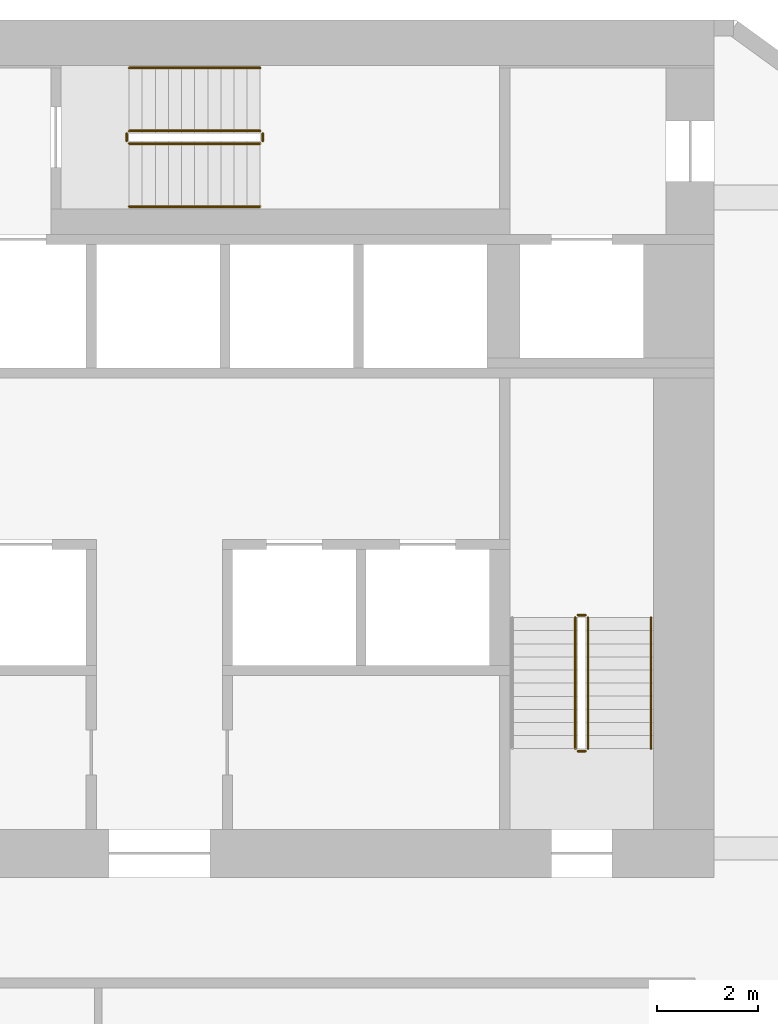
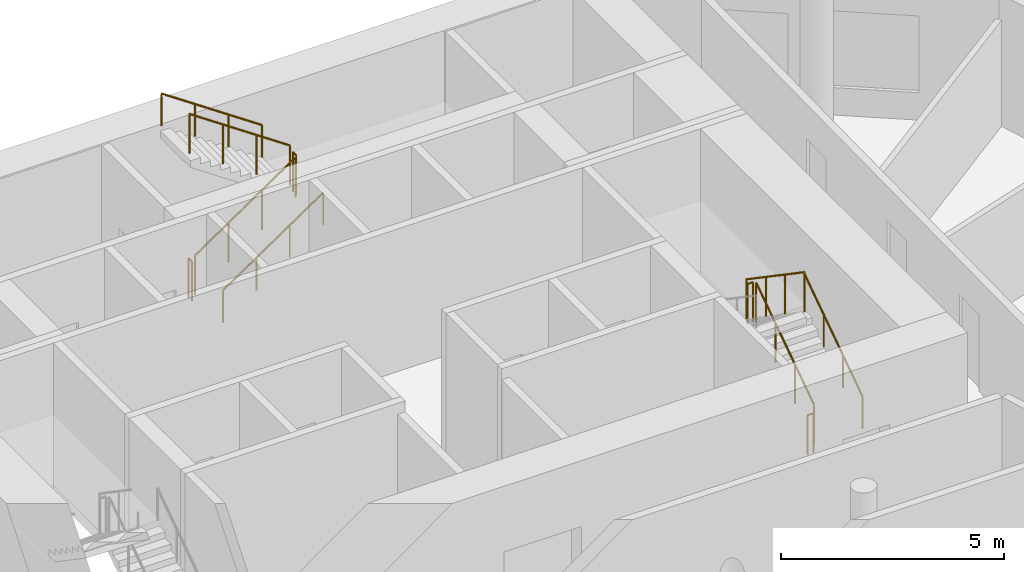
# One storey, part 8 of 8: 11 railings.
"""IFC4 building model written with IfcOpenShell, lengths in metres."""

from ifc_helpers import new_model, si_unit, direction, frame, origin, origin_2d, place, context, subcontext, project, spatial, circle, extrude, material, type_object, element, save


model = new_model("IFC4")

# Units and contexts
model_context = context("Model", 3, precision=1e-05, world=origin(), true_north=direction((0.0, 1.0)))
body_context = subcontext(model_context, "Body", "Model", "MODEL_VIEW")
ifc_project = project(units=[si_unit("LENGTHUNIT", "METRE"), si_unit("AREAUNIT", "SQUARE_METRE"), si_unit("VOLUMEUNIT", "CUBIC_METRE"), si_unit("PLANEANGLEUNIT", "RADIAN"), si_unit("MASSUNIT", "GRAM", prefix="KILO")], contexts=[model_context])

# Site, building, storey
site_placement = place(None, origin())
site = spatial("IfcSite", under=ifc_project, at=site_placement, CompositionType="ELEMENT")
building_placement = place(site_placement, origin())
building = spatial("IfcBuilding", under=site, at=building_placement, Name="White Candle Pilgrim Tower", CompositionType="ELEMENT")
storey_placement = place(building_placement, frame((0.0, 0.0, 156.39990234375)))
storey = spatial("IfcBuildingStorey", under=building, at=storey_placement, Name="L35", CompositionType="ELEMENT", Elevation=156.39990234375)

# Railings
ifc_material = material(Name="Stainless steel", Category="steel")
railing_type_1 = type_object("IfcRailingType", Name="Stair guard stainless steel 1100 mm", PredefinedType="GUARDRAIL", material=ifc_material)
railing_1_placement = place(storey_placement, frame((78.5, 73.550048828125, 0.177490234375)))
element("IfcRailing", 1, at=railing_1_placement, inside=storey, type_object=railing_type_1, Name="L35 ST2 stair guard 1", PredefinedType="GUARDRAIL", context=body_context, shape_type="SweptSolid", body=[
    extrude(circle(Radius=0.02392578125, at=origin_2d()), frame((0.0, 0.0, 1.076171875), z_axis=(0.0, 0.826215852431, 0.563353676824), x_axis=(-1.0, 0.0, 0.0)), (0.0, 0.0, 1.0), 3.146728515625),
    extrude(circle(Radius=0.02099609375, at=origin_2d()), origin(), (0.0, 0.0, 1.0), 1.052001953125),
    extrude(circle(Radius=0.02099609375, at=origin_2d()), frame((0.0, 0.86669921875, 0.5908203125)), (0.0, 0.0, 1.0), 1.052001953125),
    extrude(circle(Radius=0.02099609375, at=origin_2d()), frame((0.0, 1.733154296875, 1.181884765625)), (0.0, 0.0, 1.0), 1.052001953125),
    extrude(circle(Radius=0.02099609375, at=origin_2d()), frame((0.0, 2.599853515625, 1.772705078125)), (0.0, 0.0, 1.0), 1.052001953125),
])
railing_2_placement = place(storey_placement, frame((78.449951171875, 76.199951171875, 1.9501953125)))
element("IfcRailing", 2, at=railing_2_placement, inside=storey, type_object=railing_type_1, Name="L35 ST2 stair guard 2", PredefinedType="GUARDRAIL", context=body_context, shape_type="SweptSolid", body=[
    extrude(circle(Radius=0.02392578125, at=origin_2d()), frame((0.0, 0.0, 1.076171875), z_axis=(-1.0, 0.0, 0.0), x_axis=(0.0, -1.0, 0.0)), (0.0, 0.0, 1.0), 0.14990234375),
    extrude(circle(Radius=0.02099609375, at=origin_2d()), origin(), (0.0, 0.0, 1.0), 1.052001953125),
    extrude(circle(Radius=0.02099609375, at=origin_2d()), frame((-0.14990234375, 0.0, 0.0)), (0.0, 0.0, 1.0), 1.052001953125),
])
railing_3_placement = place(storey_placement, frame((78.25, 76.14990234375, 2.12744140625)))
element("IfcRailing", 3, at=railing_3_placement, inside=storey, type_object=railing_type_1, Name="L35 ST2 stair guard 3", PredefinedType="GUARDRAIL", context=body_context, shape_type="SweptSolid", body=[
    extrude(circle(Radius=0.02392578125, at=origin_2d()), frame((0.0, 0.0, 1.076171875), z_axis=(0.0, -0.826215852431, 0.563353676824), x_axis=(1.0, 0.0, 0.0)), (0.0, 0.0, 1.0), 3.146728515625),
    extrude(circle(Radius=0.02099609375, at=origin_2d()), origin(), (0.0, 0.0, 1.0), 1.052001953125),
    extrude(circle(Radius=0.02099609375, at=origin_2d()), frame((0.0, -0.86669921875, 0.5908203125)), (0.0, 0.0, 1.0), 1.052001953125),
    extrude(circle(Radius=0.02099609375, at=origin_2d()), frame((0.0, -1.733154296875, 1.181884765625)), (0.0, 0.0, 1.0), 1.052001953125),
    extrude(circle(Radius=0.02099609375, at=origin_2d()), frame((0.0, -2.599853515625, 1.772705078125)), (0.0, 0.0, 1.0), 1.052001953125),
])
railing_4_placement = place(storey_placement, frame((78.449951171875, 73.5, 0.0)))
element("IfcRailing", 4, at=railing_4_placement, inside=storey, type_object=railing_type_1, Name="L35 ST2 stair guard 4", PredefinedType="GUARDRAIL", context=body_context, shape_type="SweptSolid", body=[
    extrude(circle(Radius=0.02392578125, at=origin_2d()), frame((0.0, 0.0, 1.076171875), z_axis=(-1.0, 0.0, 0.0), x_axis=(0.0, -1.0, 0.0)), (0.0, 0.0, 1.0), 0.14990234375),
    extrude(circle(Radius=0.02099609375, at=origin_2d()), origin(), (0.0, 0.0, 1.0), 1.052001953125),
    extrude(circle(Radius=0.02099609375, at=origin_2d()), frame((-0.14990234375, 0.0, 0.0)), (0.0, 0.0, 1.0), 1.052001953125),
])
railing_5_placement = place(storey_placement, frame((69.39990234375, 85.550048828125, 0.177490234375)))
element("IfcRailing", 5, at=railing_5_placement, inside=storey, type_object=railing_type_1, Name="L35 ST3 stair guard 1", PredefinedType="GUARDRAIL", context=body_context, shape_type="SweptSolid", body=[
    extrude(circle(Radius=0.02392578125, at=origin_2d()), frame((0.0, 0.0, 1.076171875), z_axis=(0.826240473404, 0.0, 0.563317565952), x_axis=(0.0, 1.0, 0.0)), (0.0, 0.0, 1.0), 3.14697265625),
    extrude(circle(Radius=0.02099609375, at=origin_2d()), origin(), (0.0, 0.0, 1.0), 1.052001953125),
    extrude(circle(Radius=0.02099609375, at=origin_2d()), frame((0.86669921875, 0.0, 0.5908203125)), (0.0, 0.0, 1.0), 1.052001953125),
    extrude(circle(Radius=0.02099609375, at=origin_2d()), frame((1.7333984375, 0.0, 1.181884765625)), (0.0, 0.0, 1.0), 1.052001953125),
    extrude(circle(Radius=0.02099609375, at=origin_2d()), frame((2.60009765625, 0.0, 1.772705078125)), (0.0, 0.0, 1.0), 1.052001953125),
])
railing_6_placement = place(storey_placement, frame((72.050048828125, 85.60009765625, 1.9501953125)))
element("IfcRailing", 6, at=railing_6_placement, inside=storey, type_object=railing_type_1, Name="L35 ST3 stair guard 2", PredefinedType="GUARDRAIL", context=body_context, shape_type="SweptSolid", body=[
    extrude(circle(Radius=0.02392578125, at=origin_2d()), frame((0.0, 0.0, 1.076171875), z_axis=(0.0, 1.0, 0.0), x_axis=(-1.0, 0.0, 0.0)), (0.0, 0.0, 1.0), 0.14990234375),
    extrude(circle(Radius=0.02099609375, at=origin_2d()), origin(), (0.0, 0.0, 1.0), 1.052001953125),
    extrude(circle(Radius=0.02099609375, at=origin_2d()), frame((0.0, 0.14990234375, 0.0)), (0.0, 0.0, 1.0), 1.052001953125),
])
railing_7_placement = place(storey_placement, frame((72.0, 85.800048828125, 2.12744140625)))
element("IfcRailing", 7, at=railing_7_placement, inside=storey, type_object=railing_type_1, Name="L35 ST3 stair guard 3", PredefinedType="GUARDRAIL", context=body_context, shape_type="SweptSolid", body=[
    extrude(circle(Radius=0.02392578125, at=origin_2d()), frame((0.0, 0.0, 1.076171875), z_axis=(-0.826240473404, 0.0, 0.563317565952), x_axis=(0.0, -1.0, 0.0)), (0.0, 0.0, 1.0), 3.14697265625),
    extrude(circle(Radius=0.02099609375, at=origin_2d()), origin(), (0.0, 0.0, 1.0), 1.052001953125),
    extrude(circle(Radius=0.02099609375, at=origin_2d()), frame((-0.86669921875, 0.0, 0.5908203125)), (0.0, 0.0, 1.0), 1.052001953125),
    extrude(circle(Radius=0.02099609375, at=origin_2d()), frame((-1.7333984375, 0.0, 1.181884765625)), (0.0, 0.0, 1.0), 1.052001953125),
    extrude(circle(Radius=0.02099609375, at=origin_2d()), frame((-2.60009765625, 0.0, 1.772705078125)), (0.0, 0.0, 1.0), 1.052001953125),
])
railing_8_placement = place(storey_placement, frame((69.35009765625, 85.60009765625, 0.0)))
element("IfcRailing", 8, at=railing_8_placement, inside=storey, type_object=railing_type_1, Name="L35 ST3 stair guard 4", PredefinedType="GUARDRAIL", context=body_context, shape_type="SweptSolid", body=[
    extrude(circle(Radius=0.02392578125, at=origin_2d()), frame((0.0, 0.0, 1.076171875), z_axis=(0.0, 1.0, 0.0), x_axis=(-1.0, 0.0, 0.0)), (0.0, 0.0, 1.0), 0.14990234375),
    extrude(circle(Radius=0.02099609375, at=origin_2d()), origin(), (0.0, 0.0, 1.0), 1.052001953125),
    extrude(circle(Radius=0.02099609375, at=origin_2d()), frame((0.0, 0.14990234375, 0.0)), (0.0, 0.0, 1.0), 1.052001953125),
])
railing_type_2 = type_object("IfcRailingType", Name="Stair handrail stainless steel", PredefinedType="HANDRAIL", material=ifc_material)
railing_9_placement = place(storey_placement, frame((79.75, 73.550048828125, 0.177490234375)))
element("IfcRailing", 9, at=railing_9_placement, inside=storey, type_object=railing_type_2, Name="L35 ST2 stair handrail 1", PredefinedType="HANDRAIL", context=body_context, shape_type="SweptSolid", body=[
    extrude(circle(Radius=0.02392578125, at=origin_2d()), frame((0.0, 0.0, 0.8759765625), z_axis=(0.0, 0.826215852431, 0.563353676824), x_axis=(-1.0, 0.0, 0.0)), (0.0, 0.0, 1.0), 3.146728515625),
    extrude(circle(Radius=0.02099609375, at=origin_2d()), origin(), (0.0, 0.0, 1.0), 0.851806640625),
    extrude(circle(Radius=0.02099609375, at=origin_2d()), frame((0.0, 0.86669921875, 0.5908203125)), (0.0, 0.0, 1.0), 0.851806640625),
    extrude(circle(Radius=0.02099609375, at=origin_2d()), frame((0.0, 1.733154296875, 1.181884765625)), (0.0, 0.0, 1.0), 0.851806640625),
    extrude(circle(Radius=0.02099609375, at=origin_2d()), frame((0.0, 2.599853515625, 1.772705078125)), (0.0, 0.0, 1.0), 0.851806640625),
])
railing_10_placement = place(storey_placement, frame((69.39990234375, 84.300048828125, 0.177490234375)))
element("IfcRailing", 10, at=railing_10_placement, inside=storey, type_object=railing_type_2, Name="L35 ST3 stair handrail 1", PredefinedType="HANDRAIL", context=body_context, shape_type="SweptSolid", body=[
    extrude(circle(Radius=0.02392578125, at=origin_2d()), frame((0.0, 0.0, 0.8759765625), z_axis=(0.826240473404, 0.0, 0.563317565952), x_axis=(0.0, 1.0, 0.0)), (0.0, 0.0, 1.0), 3.14697265625),
    extrude(circle(Radius=0.02099609375, at=origin_2d()), origin(), (0.0, 0.0, 1.0), 0.851806640625),
    extrude(circle(Radius=0.02099609375, at=origin_2d()), frame((0.86669921875, 0.0, 0.5908203125)), (0.0, 0.0, 1.0), 0.851806640625),
    extrude(circle(Radius=0.02099609375, at=origin_2d()), frame((1.7333984375, 0.0, 1.181884765625)), (0.0, 0.0, 1.0), 0.851806640625),
    extrude(circle(Radius=0.02099609375, at=origin_2d()), frame((2.60009765625, 0.0, 1.772705078125)), (0.0, 0.0, 1.0), 0.851806640625),
])
railing_11_placement = place(storey_placement, frame((72.0, 87.050048828125, 2.12744140625)))
element("IfcRailing", 11, at=railing_11_placement, inside=storey, type_object=railing_type_2, Name="L35 ST3 stair handrail 2", PredefinedType="HANDRAIL", context=body_context, shape_type="SweptSolid", body=[
    extrude(circle(Radius=0.02392578125, at=origin_2d()), frame((0.0, 0.0, 0.8759765625), z_axis=(-0.826240473404, 0.0, 0.563317565952), x_axis=(0.0, -1.0, 0.0)), (0.0, 0.0, 1.0), 3.14697265625),
    extrude(circle(Radius=0.02099609375, at=origin_2d()), origin(), (0.0, 0.0, 1.0), 0.851806640625),
    extrude(circle(Radius=0.02099609375, at=origin_2d()), frame((-0.86669921875, 0.0, 0.5908203125)), (0.0, 0.0, 1.0), 0.851806640625),
    extrude(circle(Radius=0.02099609375, at=origin_2d()), frame((-1.7333984375, 0.0, 1.181884765625)), (0.0, 0.0, 1.0), 0.851806640625),
    extrude(circle(Radius=0.02099609375, at=origin_2d()), frame((-2.60009765625, 0.0, 1.772705078125)), (0.0, 0.0, 1.0), 0.851806640625),
])

save(model, "model.ifc")
